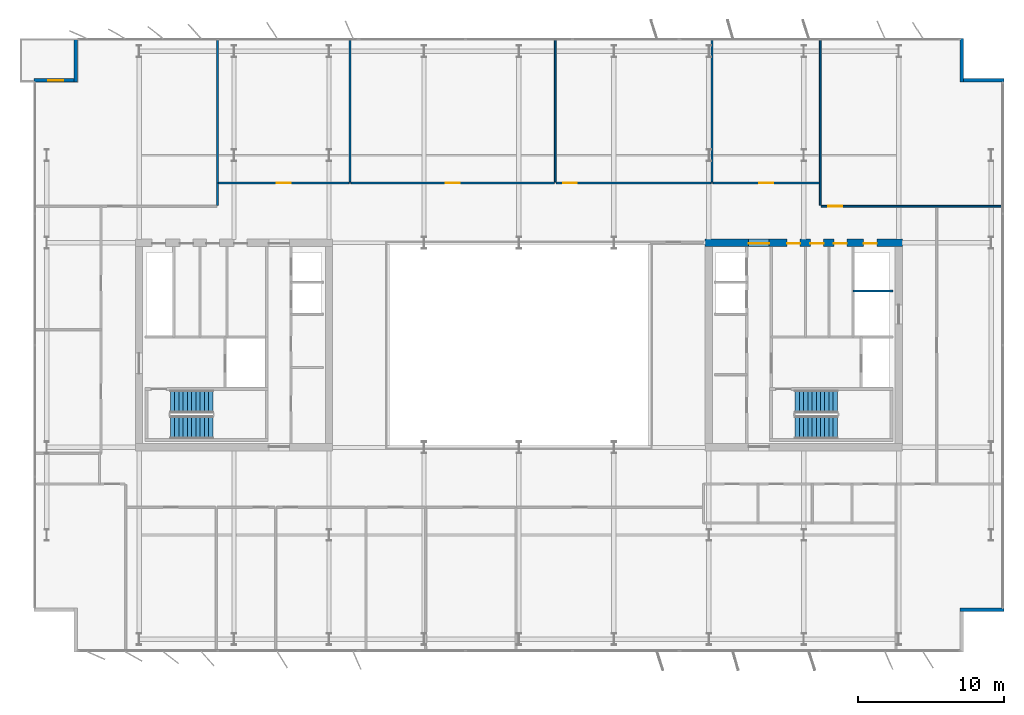
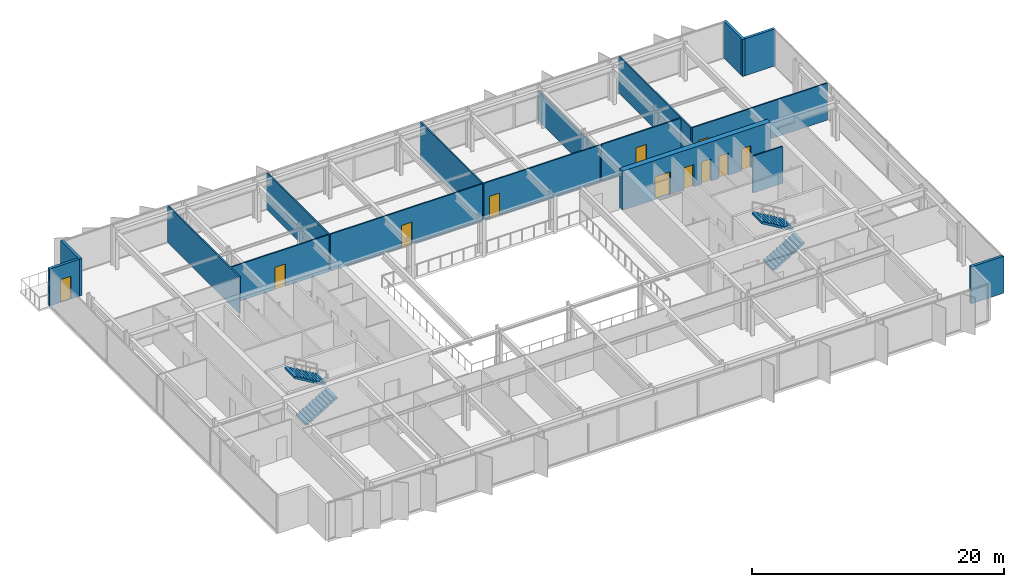
# One storey, part 19 of 23: 17 walls, 11 doors, 4 stair flights, 11 openings, 2 elements without a shape of their own.
"""IFC4 building model written with IfcOpenShell, lengths in metres."""

from ifc_helpers import new_model, si_unit, direction, frame, frame_2d, origin, place, context, subcontext, project, spatial, polyline, rectangle, outline, extrude, material, layer, layer_set, type_object, element, fill, aggregate, save


model = new_model("IFC4")

# Units and contexts
model_context = context("Model", 3, precision=1e-05, world=origin(), true_north=direction((0.0, 1.0)))
body_context = subcontext(model_context, "Body", "Model", "MODEL_VIEW")
ifc_project = project(units=[si_unit("LENGTHUNIT", "METRE"), si_unit("AREAUNIT", "SQUARE_METRE"), si_unit("VOLUMEUNIT", "CUBIC_METRE"), si_unit("PLANEANGLEUNIT", "RADIAN"), si_unit("MASSUNIT", "GRAM", prefix="KILO")], contexts=[model_context])

# Site, building, storey
site_placement = place(None, origin())
site = spatial("IfcSite", under=ifc_project, at=site_placement, CompositionType="ELEMENT")
building_placement = place(site_placement, origin())
building = spatial("IfcBuilding", under=site, at=building_placement, Name="Putna Gate Headquarters", CompositionType="ELEMENT")
storey_placement = place(building_placement, frame((0.0, 0.0, 217.60009765625)))
storey = spatial("IfcBuildingStorey", under=building, at=storey_placement, Name="L54", CompositionType="ELEMENT", Elevation=217.60009765625)

# Wall, openings, doors
ifc_material_1 = material(Name="Concrete C50/60", Category="concrete")
ifc_layer_1 = layer(ifc_material_1, 0.5)
ifc_layer_set_1 = layer_set([ifc_layer_1], Name="Concrete C50/60")
wall_type_1 = type_object("IfcWallType", Name="WALL-CORE-500", PredefinedType="SHEAR", material=ifc_layer_set_1)
wall_1_placement = place(storey_placement, frame((51.75, 33.0, 0.0), z_axis=(0.0, 0.0, 1.0), x_axis=(1.0, 0.0, 0.0)))
wall_1 = element("IfcWall", 1, at=wall_1_placement, inside=storey, type_object=wall_type_1, Name="L54 EC Split Core Shear Wall N", PredefinedType="SHEAR", context=body_context, shape_type="SweptSolid", body=[
    extrude(rectangle(XDim=13.5, YDim=0.5, at=frame_2d((6.75, 0.0))), origin(), (0.0, 0.0, 1.0), 3.7998046875),
])
opening_1_placement = place(wall_1_placement, frame((2.969970703125, 0.0, 0.0)))
opening_1 = element("IfcOpeningElement", 2, at=opening_1_placement, cuts=wall_1, Name="Opening FDD-140", PredefinedType="OPENING", context=body_context, shape_type="SweptSolid", body=[
    extrude(rectangle(XDim=1.39990234375, YDim=2.199951171875, at=frame_2d((0.699951171875, 1.10009765625))), frame((0.0, 0.260009765625, 0.0), z_axis=(0.0, -1.0, 0.0), x_axis=(1.0, 0.0, 0.0)), (0.0, 0.0, 1.0), 0.52001953125),
])
opening_2_placement = place(wall_1_placement, frame((10.85009765625, 0.0, 0.0)))
opening_2 = element("IfcOpeningElement", 3, at=opening_2_placement, cuts=wall_1, Name="Opening RD-90", PredefinedType="OPENING", context=body_context, shape_type="SweptSolid", body=[
    extrude(rectangle(XDim=0.89990234375, YDim=2.14990234375, at=frame_2d((0.449951171875, 1.074951171875))), frame((0.0, 0.260009765625, 0.0), z_axis=(0.0, -1.0, 0.0), x_axis=(1.0, 0.0, 0.0)), (0.0, 0.0, 1.0), 0.52001953125),
])
opening_3_placement = place(wall_1_placement, frame((5.60009765625, 0.0, 0.0)))
opening_3 = element("IfcOpeningElement", 4, at=opening_3_placement, cuts=wall_1, Name="Opening IDS-90", PredefinedType="OPENING", context=body_context, shape_type="SweptSolid", body=[
    extrude(rectangle(XDim=0.89990234375, YDim=2.14990234375, at=frame_2d((0.449951171875, 1.074951171875))), frame((0.0, 0.260009765625, 0.0), z_axis=(0.0, -1.0, 0.0), x_axis=(1.0, 0.0, 0.0)), (0.0, 0.0, 1.0), 0.52001953125),
])
opening_4_placement = place(wall_1_placement, frame((7.199951171875, 0.0, 0.0)))
opening_4 = element("IfcOpeningElement", 5, at=opening_4_placement, cuts=wall_1, Name="Opening IDS-90", PredefinedType="OPENING", context=body_context, shape_type="SweptSolid", body=[
    extrude(rectangle(XDim=0.89990234375, YDim=2.14990234375, at=frame_2d((0.449951171875, 1.074951171875))), frame((0.0, 0.260009765625, 0.0), z_axis=(0.0, -1.0, 0.0), x_axis=(1.0, 0.0, 0.0)), (0.0, 0.0, 1.0), 0.52001953125),
])
opening_5_placement = place(wall_1_placement, frame((8.800048828125, 0.0, 0.0)))
opening_5 = element("IfcOpeningElement", 6, at=opening_5_placement, cuts=wall_1, Name="Opening IDS-90", PredefinedType="OPENING", context=body_context, shape_type="SweptSolid", body=[
    extrude(rectangle(XDim=0.89990234375, YDim=2.14990234375, at=frame_2d((0.449951171875, 1.074951171875))), frame((0.0, 0.260009765625, 0.0), z_axis=(0.0, -1.0, 0.0), x_axis=(1.0, 0.0, 0.0)), (0.0, 0.0, 1.0), 0.52001953125),
])
ifc_material_2 = material(Name="Double steel fire door", Category="steel")
door_type_1 = type_object("IfcDoorType", Name="DOOR-FIRE-DBL-1400", OperationType="DOUBLE_DOOR_SINGLE_SWING", PredefinedType="DOOR", material=ifc_material_2)
door_1_placement = place(opening_1_placement, origin())
door_1 = element("IfcDoor", 7, at=door_1_placement, inside=storey, type_object=door_type_1, Name="L54 East Lift Lobby North Door", OperationType="DOUBLE_DOOR_SINGLE_SWING", OverallHeight=2.199951171875, OverallWidth=1.39990234375, PredefinedType="DOOR", context=body_context, shape_type="SweptSolid", body=[
    extrude(rectangle(XDim=1.39990234375, YDim=2.199951171875, at=frame_2d((0.699951171875, 1.10009765625))), frame((0.0, -0.02490234375, 0.0), z_axis=(0.0, -1.0, 0.0), x_axis=(1.0, 0.0, 0.0)), (0.0, 0.0, 1.0), 0.050048828125),
])
fill(opening_1, door_1)
ifc_material_3 = material(Name="Fire-rated utility door")
door_type_2 = type_object("IfcDoorType", Name="DOOR-INT-900", OperationType="NOTDEFINED", PredefinedType="DOOR", material=ifc_material_3)
door_2_placement = place(opening_3_placement, origin())
door_2 = element("IfcDoor", 8, at=door_2_placement, inside=storey, type_object=door_type_2, Name="L54 East Cleaner Store Door", OperationType="SINGLE_SWING_RIGHT", OverallHeight=2.14990234375, OverallWidth=0.89990234375, PredefinedType="DOOR", context=body_context, shape_type="SweptSolid", body=[
    extrude(rectangle(XDim=0.89990234375, YDim=2.14990234375, at=frame_2d((0.449951171875, 1.074951171875))), frame((0.0, -0.02490234375, 0.0), z_axis=(0.0, -1.0, 0.0), x_axis=(1.0, 0.0, 0.0)), (0.0, 0.0, 1.0), 0.050048828125),
])
fill(opening_3, door_2)
door_3_placement = place(opening_4_placement, origin())
door_3 = element("IfcDoor", 9, at=door_3_placement, inside=storey, type_object=door_type_2, Name="L54 BMS Outstation Door", OperationType="SINGLE_SWING_LEFT", OverallHeight=2.14990234375, OverallWidth=0.89990234375, PredefinedType="DOOR", context=body_context, shape_type="SweptSolid", body=[
    extrude(rectangle(XDim=0.89990234375, YDim=2.14990234375, at=frame_2d((0.449951171875, 1.074951171875))), frame((0.0, -0.02490234375, 0.0), z_axis=(0.0, -1.0, 0.0), x_axis=(1.0, 0.0, 0.0)), (0.0, 0.0, 1.0), 0.050048828125),
])
fill(opening_4, door_3)
door_4_placement = place(opening_5_placement, origin())
door_4 = element("IfcDoor", 10, at=door_4_placement, inside=storey, type_object=door_type_2, Name="L54 Facilities Equipment Store Door", OperationType="SINGLE_SWING_RIGHT", OverallHeight=2.14990234375, OverallWidth=0.89990234375, PredefinedType="DOOR", context=body_context, shape_type="SweptSolid", body=[
    extrude(rectangle(XDim=0.89990234375, YDim=2.14990234375, at=frame_2d((0.449951171875, 1.074951171875))), frame((0.0, -0.02490234375, 0.0), z_axis=(0.0, -1.0, 0.0), x_axis=(1.0, 0.0, 0.0)), (0.0, 0.0, 1.0), 0.050048828125),
])
fill(opening_5, door_4)
ifc_material_4 = material(Name="Steel riser access fire door", Category="steel")
door_type_3 = type_object("IfcDoorType", Name="DOOR-RISER-900", OperationType="NOTDEFINED", PredefinedType="DOOR", material=ifc_material_4)
door_5_placement = place(opening_2_placement, origin())
door_5 = element("IfcDoor", 11, at=door_5_placement, inside=storey, type_object=door_type_3, Name="L54 East Riser Access Door", OperationType="SINGLE_SWING_LEFT", OverallHeight=2.14990234375, OverallWidth=0.89990234375, PredefinedType="DOOR", context=body_context, shape_type="SweptSolid", body=[
    extrude(rectangle(XDim=0.89990234375, YDim=2.14990234375, at=frame_2d((0.449951171875, 1.074951171875))), frame((0.0, -0.02490234375, 0.0), z_axis=(0.0, -1.0, 0.0), x_axis=(1.0, 0.0, 0.0)), (0.0, 0.0, 1.0), 0.050048828125),
])
fill(opening_2, door_5)

# Wall
ifc_material_5 = material(Name="Precast concrete C40/50", Category="concrete")
ifc_layer_2 = layer(ifc_material_5, 0.239990234375)
ifc_layer_set_2 = layer_set([ifc_layer_2], Name="Precast concrete C40/50")
wall_type_2 = type_object("IfcWallType", Name="WALL-EXT-TERR-240", PredefinedType="STANDARD", material=ifc_layer_set_2)
wall_2_placement = place(storey_placement, frame((8.679931640625, 44.0, 0.0), z_axis=(0.0, 0.0, 1.0), x_axis=(0.0, 1.0, 0.0)))
element("IfcWall", 12, at=wall_2_placement, inside=storey, type_object=wall_type_2, Name="L54 Corner Notch Return Wall NW-V", PredefinedType="STANDARD", context=body_context, shape_type="SweptSolid", body=[
    extrude(rectangle(XDim=3.0, YDim=0.239990234375, at=frame_2d((1.5, 0.0))), origin(), (0.0, 0.0, 1.0), 3.579833984375),
])

# Wall, opening, door
wall_3_placement = place(storey_placement, frame((5.800048828125, 44.1201171875, 0.0), z_axis=(0.0, 0.0, 1.0), x_axis=(1.0, 0.0, 0.0)))
wall_3 = element("IfcWall", 13, at=wall_3_placement, inside=storey, type_object=wall_type_2, Name="L54 Corner Notch Return Wall NW-H", PredefinedType="STANDARD", context=body_context, shape_type="SweptSolid", body=[
    extrude(rectangle(XDim=3.0, YDim=0.239990234375, at=frame_2d((1.5, 0.0))), origin(), (0.0, 0.0, 1.0), 3.579833984375),
])
opening_6_placement = place(wall_3_placement, frame((1.0, 0.0, 0.0)))
opening_6 = element("IfcOpeningElement", 14, at=opening_6_placement, cuts=wall_3, Name="Opening TRD-1", PredefinedType="OPENING", context=body_context, shape_type="SweptSolid", body=[
    extrude(rectangle(XDim=1.0, YDim=2.199951171875, at=frame_2d((0.5, 1.10009765625))), frame((0.0, 0.1298828125, 0.0), z_axis=(0.0, -1.0, 0.0), x_axis=(1.0, 0.0, 0.0)), (0.0, 0.0, 1.0), 0.260009765625),
])
ifc_material_6 = material(Name="Thermally broken bronze glazed terrace door")
door_type_4 = type_object("IfcDoorType", Name="DOOR-TERR-EXT-1000", OperationType="NOTDEFINED", PredefinedType="DOOR", material=ifc_material_6)
door_6_placement = place(opening_6_placement, origin())
door_6 = element("IfcDoor", 15, at=door_6_placement, inside=storey, type_object=door_type_4, Name="L54 Spiral Sky Terrace Door NW", OperationType="SINGLE_SWING_RIGHT", OverallHeight=2.199951171875, OverallWidth=1.0, PredefinedType="DOOR", context=body_context, shape_type="SweptSolid", body=[
    extrude(rectangle(XDim=1.0, YDim=2.199951171875, at=frame_2d((0.5, 1.10009765625))), frame((0.0, 0.02490234375, 0.0), z_axis=(0.0, -1.0, 0.0), x_axis=(1.0, 0.0, 0.0)), (0.0, 0.0, 1.0), 0.050048828125),
])
fill(opening_6, door_6)

# Walls
for number, where, z_axis, x_axis, name in (
    (16, (69.320068359375, 47.0, 0.0), (0.0, 0.0, 1.0), (0.0, -1.0, 0.0), "L54 Corner Notch Return Wall NE-V"),
    (17, (69.199951171875, 44.1201171875, 0.0), (0.0, 0.0, 1.0), (1.0, 0.0, 0.0), "L54 Corner Notch Return Wall NE-H"),
    (18, (72.199951171875, 7.8798828125, 0.0), (0.0, 0.0, 1.0), (-1.0, 0.0, 0.0), "L54 Corner Notch Return Wall SE-H"),
):
    element("IfcWall", number, at=place(storey_placement, frame(where, z_axis=z_axis, x_axis=x_axis)), inside=storey, type_object=wall_type_2, Name=name, PredefinedType="STANDARD", context=body_context, shape_type="SweptSolid", body=[
        extrude(rectangle(XDim=3.0, YDim=0.239990234375, at=frame_2d((1.5, 0.0))), origin(), (0.0, 0.0, 1.0), 3.579833984375),
    ])
ifc_material_7 = material(Name="Acoustic gypsum board on metal stud")
ifc_layer_3 = layer(ifc_material_7, 0.1201171875)
ifc_layer_set_3 = layer_set([ifc_layer_3], Name="Acoustic gypsum board on metal stud")
wall_type_3 = type_object("IfcWallType", Name="WALL-PART-120", PredefinedType="PARTITIONING", material=ifc_layer_set_3)
wall_4_placement = place(storey_placement, frame((18.369140625, 35.56005859375, 0.0), z_axis=(0.0, 0.0, 1.0), x_axis=(0.0, 1.0, 0.0)))
element("IfcWall", 19, at=wall_4_placement, inside=storey, type_object=wall_type_3, Name="L54 Interior Wall PART-L54-NB-DIV-01", PredefinedType="PARTITIONING", context=body_context, shape_type="SweptSolid", body=[
    extrude(rectangle(XDim=11.419921875, YDim=0.1201171875, at=frame_2d((5.7099609375, 0.0))), origin(), (0.0, 0.0, 1.0), 3.579833984375),
])
for number, where, z_axis, x_axis, name in (
    (20, (27.443115234375, 37.159912109375, 0.0), (0.0, 0.0, 1.0), (0.0, 1.0, 0.0), "L54 Interior Wall PART-L54-NB-DIV-02"),
    (21, (41.483154296875, 37.159912109375, 0.0), (0.0, 0.0, 1.0), (0.0, 1.0, 0.0), "L54 Interior Wall PART-L54-NB-DIV-03"),
):
    element("IfcWall", number, at=place(storey_placement, frame(where, z_axis=z_axis, x_axis=x_axis)), inside=storey, type_object=wall_type_3, Name=name, PredefinedType="PARTITIONING", context=body_context, shape_type="SweptSolid", body=[
        extrude(rectangle(XDim=9.820068359375, YDim=0.1201171875, at=frame_2d((4.91015625, 0.0))), origin(), (0.0, 0.0, 1.0), 3.579833984375),
    ])
wall_5_placement = place(storey_placement, frame((52.214599609375, 37.159912109375, 0.0), z_axis=(0.0, 0.0, 1.0), x_axis=(0.0, 1.0, 0.0)))
element("IfcWall", 22, at=wall_5_placement, inside=storey, type_object=wall_type_3, Name="L54 Interior Wall PART-L54-NB-DIV-04", PredefinedType="PARTITIONING", context=body_context, shape_type="SweptSolid", body=[
    extrude(rectangle(XDim=9.820068359375, YDim=0.1201171875, at=frame_2d((4.91015625, 0.0))), origin(), (0.0, 0.0, 1.0), 2.8798828125),
])
wall_6_placement = place(storey_placement, frame((59.630859375, 35.56005859375, 0.0), z_axis=(0.0, 0.0, 1.0), x_axis=(0.0, 1.0, 0.0)))
element("IfcWall", 23, at=wall_6_placement, inside=storey, type_object=wall_type_3, Name="L54 Interior Wall PART-L54-NB-DIV-05", PredefinedType="PARTITIONING", context=body_context, shape_type="SweptSolid", body=[
    extrude(rectangle(XDim=11.419921875, YDim=0.1201171875, at=frame_2d((5.7099609375, 0.0))), origin(), (0.0, 0.0, 1.0), 3.579833984375),
])
ifc_material_8 = material(Name="Fire-rated shaftwall gypsum board on metal stud")
ifc_layer_4 = layer(ifc_material_8, 0.1201171875)
ifc_layer_set_4 = layer_set([ifc_layer_4], Name="Fire-rated shaftwall gypsum board on metal stud")
wall_type_4 = type_object("IfcWallType", Name="WALL-PART-120-EI120", PredefinedType="PARTITIONING", material=ifc_layer_set_4)
wall_7_placement = place(storey_placement, frame((61.8701171875, 29.699951171875, 0.0), z_axis=(0.0, 0.0, 1.0), x_axis=(1.0, 0.0, 0.0)))
element("IfcWall", 24, at=wall_7_placement, inside=storey, type_object=wall_type_4, Name="L54 Interior Wall CWINT-L54-EC-LF15-N", PredefinedType="PARTITIONING", context=body_context, shape_type="SweptSolid", body=[
    extrude(rectangle(XDim=2.72998046875, YDim=0.1201171875, at=frame_2d((1.364990234375, 0.0))), origin(), (0.0, 0.0, 1.0), 3.579833984375),
])

# Wall, opening, door
ifc_material_9 = material(Name="Fire-rated gypsum board on metal stud")
ifc_layer_5 = layer(ifc_material_9, 0.1201171875)
ifc_layer_set_5 = layer_set([ifc_layer_5], Name="Fire-rated gypsum board on metal stud")
wall_type_5 = type_object("IfcWallType", Name="WALL-PART-120-RATED", PredefinedType="PARTITIONING", material=ifc_layer_set_5)
wall_8_placement = place(storey_placement, frame((18.42919921875, 37.10009765625, 0.0), z_axis=(0.0, 0.0, 1.0), x_axis=(1.0, 0.0, 0.0)))
wall_8 = element("IfcWall", 25, at=wall_8_placement, inside=storey, type_object=wall_type_5, Name="L54 Interior Wall PART-L54-NB-CW-02", PredefinedType="PARTITIONING", context=body_context, shape_type="SweptSolid", body=[
    extrude(rectangle(XDim=8.953857421875, YDim=0.1201171875, at=frame_2d((4.47705078125, 0.0))), origin(), (0.0, 0.0, 1.0), 3.579833984375),
])
opening_7_placement = place(wall_8_placement, frame((4.001953125, 0.0, 0.0)))
opening_7 = element("IfcOpeningElement", 26, at=opening_7_placement, cuts=wall_8, Name="Opening FD-95", PredefinedType="OPENING", context=body_context, shape_type="SweptSolid", body=[
    extrude(rectangle(XDim=0.949951171875, YDim=2.14990234375, at=frame_2d((0.47509765625, 1.074951171875))), frame((0.0, 0.070068359375, 0.0), z_axis=(0.0, -1.0, 0.0), x_axis=(1.0, 0.0, 0.0)), (0.0, 0.0, 1.0), 0.14013671875),
])
ifc_material_10 = material(Name="Acoustic timber fire door", Category="wood")
door_type_5 = type_object("IfcDoorType", Name="DOOR-FIRE-950", OperationType="NOTDEFINED", PredefinedType="DOOR", material=ifc_material_10)
door_7_placement = place(opening_7_placement, origin())
door_7 = element("IfcDoor", 27, at=door_7_placement, inside=storey, type_object=door_type_5, Name="L54 Cellular Office 1 Door", OperationType="SINGLE_SWING_LEFT", OverallHeight=2.14990234375, OverallWidth=0.949951171875, PredefinedType="DOOR", context=body_context, shape_type="SweptSolid", body=[
    extrude(rectangle(XDim=0.949951171875, YDim=2.14990234375, at=frame_2d((0.47509765625, 1.074951171875))), frame((0.0, 0.02490234375, 0.0), z_axis=(0.0, -1.0, 0.0), x_axis=(1.0, 0.0, 0.0)), (0.0, 0.0, 1.0), 0.050048828125),
])
fill(opening_7, door_7)

wall_9_placement = place(storey_placement, frame((27.5029296875, 37.10009765625, 0.0), z_axis=(0.0, 0.0, 1.0), x_axis=(1.0, 0.0, 0.0)))
wall_9 = element("IfcWall", 28, at=wall_9_placement, inside=storey, type_object=wall_type_5, Name="L54 Interior Wall PART-L54-NB-CW-03", PredefinedType="PARTITIONING", context=body_context, shape_type="SweptSolid", body=[
    extrude(rectangle(XDim=13.920166015625, YDim=0.1201171875, at=frame_2d((6.9599609375, 0.0))), origin(), (0.0, 0.0, 1.0), 3.579833984375),
])
opening_8_placement = place(wall_9_placement, frame((6.485107421875, 0.0, 0.0)))
opening_8 = element("IfcOpeningElement", 29, at=opening_8_placement, cuts=wall_9, Name="Opening FD-95", PredefinedType="OPENING", context=body_context, shape_type="SweptSolid", body=[
    extrude(rectangle(XDim=0.949951171875, YDim=2.14990234375, at=frame_2d((0.47509765625, 1.074951171875))), frame((0.0, 0.070068359375, 0.0), z_axis=(0.0, -1.0, 0.0), x_axis=(1.0, 0.0, 0.0)), (0.0, 0.0, 1.0), 0.14013671875),
])
door_8_placement = place(opening_8_placement, origin())
door_8 = element("IfcDoor", 30, at=door_8_placement, inside=storey, type_object=door_type_5, Name="L54 Cellular Office 2 Door", OperationType="SINGLE_SWING_RIGHT", OverallHeight=2.14990234375, OverallWidth=0.949951171875, PredefinedType="DOOR", context=body_context, shape_type="SweptSolid", body=[
    extrude(rectangle(XDim=0.949951171875, YDim=2.14990234375, at=frame_2d((0.47509765625, 1.074951171875))), frame((0.0, 0.02490234375, 0.0), z_axis=(0.0, -1.0, 0.0), x_axis=(1.0, 0.0, 0.0)), (0.0, 0.0, 1.0), 0.050048828125),
])
fill(opening_8, door_8)

wall_10_placement = place(storey_placement, frame((41.543212890625, 37.10009765625, 0.0), z_axis=(0.0, 0.0, 1.0), x_axis=(1.0, 0.0, 0.0)))
wall_10 = element("IfcWall", 31, at=wall_10_placement, inside=storey, type_object=wall_type_5, Name="L54 Interior Wall PART-L54-NB-CW-04", PredefinedType="PARTITIONING", context=body_context, shape_type="SweptSolid", body=[
    extrude(rectangle(XDim=10.611328125, YDim=0.1201171875, at=frame_2d((5.3056640625, 0.0))), origin(), (0.0, 0.0, 1.0), 3.579833984375),
])
opening_9_placement = place(wall_10_placement, frame((0.47998046875, 0.0, 0.0)))
opening_9 = element("IfcOpeningElement", 32, at=opening_9_placement, cuts=wall_10, Name="Opening FD-95", PredefinedType="OPENING", context=body_context, shape_type="SweptSolid", body=[
    extrude(rectangle(XDim=0.949951171875, YDim=2.14990234375, at=frame_2d((0.47509765625, 1.074951171875))), frame((0.0, 0.070068359375, 0.0), z_axis=(0.0, -1.0, 0.0), x_axis=(1.0, 0.0, 0.0)), (0.0, 0.0, 1.0), 0.14013671875),
])
door_9_placement = place(opening_9_placement, origin())
door_9 = element("IfcDoor", 33, at=door_9_placement, inside=storey, type_object=door_type_5, Name="L54 Cellular Office 3 Door", OperationType="SINGLE_SWING_LEFT", OverallHeight=2.14990234375, OverallWidth=0.949951171875, PredefinedType="DOOR", context=body_context, shape_type="SweptSolid", body=[
    extrude(rectangle(XDim=0.949951171875, YDim=2.14990234375, at=frame_2d((0.47509765625, 1.074951171875))), frame((0.0, 0.02490234375, 0.0), z_axis=(0.0, -1.0, 0.0), x_axis=(1.0, 0.0, 0.0)), (0.0, 0.0, 1.0), 0.050048828125),
])
fill(opening_9, door_9)

wall_11_placement = place(storey_placement, frame((52.274658203125, 37.10009765625, 0.0), z_axis=(0.0, 0.0, 1.0), x_axis=(1.0, 0.0, 0.0)))
wall_11 = element("IfcWall", 34, at=wall_11_placement, inside=storey, type_object=wall_type_5, Name="L54 Interior Wall PART-L54-NB-CW-05", PredefinedType="PARTITIONING", context=body_context, shape_type="SweptSolid", body=[
    extrude(rectangle(XDim=7.296142578125, YDim=0.1201171875, at=frame_2d((3.64794921875, 0.0))), origin(), (0.0, 0.0, 1.0), 3.579833984375),
])
opening_10_placement = place(wall_11_placement, frame((3.173095703125, 0.0, 0.0)))
opening_10 = element("IfcOpeningElement", 35, at=opening_10_placement, cuts=wall_11, Name="Opening FD-95", PredefinedType="OPENING", context=body_context, shape_type="SweptSolid", body=[
    extrude(rectangle(XDim=0.949951171875, YDim=2.14990234375, at=frame_2d((0.47509765625, 1.074951171875))), frame((0.0, 0.070068359375, 0.0), z_axis=(0.0, -1.0, 0.0), x_axis=(1.0, 0.0, 0.0)), (0.0, 0.0, 1.0), 0.14013671875),
])
door_10_placement = place(opening_10_placement, origin())
door_10 = element("IfcDoor", 36, at=door_10_placement, inside=storey, type_object=door_type_5, Name="L54 Cellular Office 4 Door", OperationType="SINGLE_SWING_RIGHT", OverallHeight=2.14990234375, OverallWidth=0.949951171875, PredefinedType="DOOR", context=body_context, shape_type="SweptSolid", body=[
    extrude(rectangle(XDim=0.949951171875, YDim=2.14990234375, at=frame_2d((0.47509765625, 1.074951171875))), frame((0.0, 0.02490234375, 0.0), z_axis=(0.0, -1.0, 0.0), x_axis=(1.0, 0.0, 0.0)), (0.0, 0.0, 1.0), 0.050048828125),
])
fill(opening_10, door_10)

wall_12_placement = place(storey_placement, frame((59.69091796875, 35.5, 0.0), z_axis=(0.0, 0.0, 1.0), x_axis=(1.0, 0.0, 0.0)))
wall_12 = element("IfcWall", 37, at=wall_12_placement, inside=storey, type_object=wall_type_5, Name="L54 Interior Wall PART-L54-NB-CW-06", PredefinedType="PARTITIONING", context=body_context, shape_type="SweptSolid", body=[
    extrude(rectangle(XDim=12.3291015625, YDim=0.1201171875, at=frame_2d((6.16455078125, 0.0))), origin(), (0.0, 0.0, 1.0), 3.579833984375),
])
opening_11_placement = place(wall_12_placement, frame((0.47998046875, 0.0, 0.0)))
opening_11 = element("IfcOpeningElement", 38, at=opening_11_placement, cuts=wall_12, Name="Opening FD-95", PredefinedType="OPENING", context=body_context, shape_type="SweptSolid", body=[
    extrude(rectangle(XDim=0.949951171875, YDim=2.14990234375, at=frame_2d((0.47509765625, 1.074951171875))), frame((0.0, 0.070068359375, 0.0), z_axis=(0.0, -1.0, 0.0), x_axis=(1.0, 0.0, 0.0)), (0.0, 0.0, 1.0), 0.14013671875),
])
door_11_placement = place(opening_11_placement, origin())
door_11 = element("IfcDoor", 39, at=door_11_placement, inside=storey, type_object=door_type_5, Name="L54 Quiet Wellness Focus Studio 1 Door", OperationType="SINGLE_SWING_LEFT", OverallHeight=2.14990234375, OverallWidth=0.949951171875, PredefinedType="DOOR", context=body_context, shape_type="SweptSolid", body=[
    extrude(rectangle(XDim=0.949951171875, YDim=2.14990234375, at=frame_2d((0.47509765625, 1.074951171875))), frame((0.0, 0.02490234375, 0.0), z_axis=(0.0, -1.0, 0.0), x_axis=(1.0, 0.0, 0.0)), (0.0, 0.0, 1.0), 0.050048828125),
])
fill(opening_11, door_11)

# Stair, stair flights
ifc_material_11 = material(Name="Concrete C40/50", Category="concrete")
stair_type_1 = type_object("IfcStairType", Name="STAIR-ST1", PredefinedType="HALF_TURN_STAIR", material=ifc_material_11)
stair_1_placement = place(storey_placement, origin())
stair_1 = element("IfcStair", 40, at=stair_1_placement, inside=storey, type_object=stair_type_1, Name="L54 West Core Exit Stair ST1", PredefinedType="HALF_TURN_STAIR")
stair_flight_type_1 = type_object("IfcStairFlightType", Name="FLIGHT-ST1", PredefinedType="STRAIGHT", material=ifc_material_11)
stair_flight_1_placement = place(storey_placement, frame((15.14990234375, 20.375, 0.0), z_axis=(0.0, 0.0, 1.0), x_axis=(1.0, 0.0, 0.0)))
stair_flight_1 = element("IfcStairFlight", 41, at=stair_flight_1_placement, type_object=stair_flight_type_1, Name="ST1 flight 1", NumberOfRisers=11, NumberOfTreads=10, PredefinedType="STRAIGHT", RiserHeight=0.172727273, TreadLength=0.29, context=body_context, shape_type="SweptSolid", body=[
    extrude(outline(polyline([(0.0, 0.0), (0.0, 0.172607421875), (0.2900390625, 0.172607421875), (0.2900390625, 0.345458984375), (0.580078125, 0.345458984375), (0.580078125, 0.51806640625), (0.8701171875, 0.51806640625), (0.8701171875, 0.69091796875), (1.159912109375, 0.69091796875), (1.159912109375, 0.863525390625), (1.449951171875, 0.863525390625), (1.449951171875, 1.036376953125), (1.739990234375, 1.036376953125), (1.739990234375, 1.208984375), (2.030029296875, 1.208984375), (2.030029296875, 1.3818359375), (2.320068359375, 1.3818359375), (2.320068359375, 1.554443359375), (2.610107421875, 1.554443359375), (2.610107421875, 1.727294921875), (2.89990234375, 1.727294921875), (2.89990234375, 1.89990234375), (2.89990234375, 1.552734375), (0.29296875, 0.0), (0.0, 0.0)])), frame((0.0, 0.77490234375, 0.0), z_axis=(0.0, -1.0, 0.0), x_axis=(1.0, 0.0, 0.0)), (0.0, 0.0, 1.0), 1.550048828125),
])
stair_flight_2_placement = place(storey_placement, frame((18.050048828125, 22.125, 1.89990234375), z_axis=(0.0, 0.0, 1.0), x_axis=(-1.0, 0.0, 0.0)))
stair_flight_2 = element("IfcStairFlight", 42, at=stair_flight_2_placement, type_object=stair_flight_type_1, Name="ST1 flight 2", NumberOfRisers=11, NumberOfTreads=10, PredefinedType="STRAIGHT", RiserHeight=0.172727273, TreadLength=0.29, context=body_context, shape_type="SweptSolid", body=[
    extrude(outline(polyline([(0.0, 0.0), (0.0, 0.172607421875), (0.2900390625, 0.172607421875), (0.2900390625, 0.345458984375), (0.580078125, 0.345458984375), (0.580078125, 0.51806640625), (0.8701171875, 0.51806640625), (0.8701171875, 0.69091796875), (1.159912109375, 0.69091796875), (1.159912109375, 0.863525390625), (1.449951171875, 0.863525390625), (1.449951171875, 1.036376953125), (1.739990234375, 1.036376953125), (1.739990234375, 1.208984375), (2.030029296875, 1.208984375), (2.030029296875, 1.3818359375), (2.320068359375, 1.3818359375), (2.320068359375, 1.554443359375), (2.610107421875, 1.554443359375), (2.610107421875, 1.727294921875), (2.89990234375, 1.727294921875), (2.89990234375, 1.89990234375), (2.89990234375, 1.552734375), (0.29296875, 0.0), (0.0, 0.0)])), frame((0.0, 0.77490234375, 0.0), z_axis=(0.0, -1.0, 0.0), x_axis=(1.0, 0.0, 0.0)), (0.0, 0.0, 1.0), 1.550048828125),
])
aggregate(stair_1, [stair_flight_1, stair_flight_2])

stair_type_2 = type_object("IfcStairType", Name="STAIR-ST2", PredefinedType="HALF_TURN_STAIR", material=ifc_material_11)
stair_2_placement = place(storey_placement, origin())
stair_2 = element("IfcStair", 43, at=stair_2_placement, inside=storey, type_object=stair_type_2, Name="L54 East Core Exit Stair ST2", PredefinedType="HALF_TURN_STAIR")
stair_flight_type_2 = type_object("IfcStairFlightType", Name="FLIGHT-ST2", PredefinedType="STRAIGHT", material=ifc_material_11)
stair_flight_3_placement = place(storey_placement, frame((57.89990234375, 20.375, 0.0), z_axis=(0.0, 0.0, 1.0), x_axis=(1.0, 0.0, 0.0)))
stair_flight_3 = element("IfcStairFlight", 44, at=stair_flight_3_placement, type_object=stair_flight_type_2, Name="ST2 flight 1", NumberOfRisers=11, NumberOfTreads=10, PredefinedType="STRAIGHT", RiserHeight=0.172727273, TreadLength=0.29, context=body_context, shape_type="SweptSolid", body=[
    extrude(outline(polyline([(0.0, 0.0), (0.0, 0.172607421875), (0.2900390625, 0.172607421875), (0.2900390625, 0.345458984375), (0.580078125, 0.345458984375), (0.580078125, 0.51806640625), (0.8701171875, 0.51806640625), (0.8701171875, 0.69091796875), (1.159912109375, 0.69091796875), (1.159912109375, 0.863525390625), (1.449951171875, 0.863525390625), (1.449951171875, 1.036376953125), (1.739990234375, 1.036376953125), (1.739990234375, 1.208984375), (2.030029296875, 1.208984375), (2.030029296875, 1.3818359375), (2.320068359375, 1.3818359375), (2.320068359375, 1.554443359375), (2.610107421875, 1.554443359375), (2.610107421875, 1.727294921875), (2.89990234375, 1.727294921875), (2.89990234375, 1.89990234375), (2.89990234375, 1.552734375), (0.29296875, 0.0), (0.0, 0.0)])), frame((0.0, 0.77490234375, 0.0), z_axis=(0.0, -1.0, 0.0), x_axis=(1.0, 0.0, 0.0)), (0.0, 0.0, 1.0), 1.550048828125),
])
stair_flight_4_placement = place(storey_placement, frame((60.800048828125, 22.125, 1.89990234375), z_axis=(0.0, 0.0, 1.0), x_axis=(-1.0, 0.0, 0.0)))
stair_flight_4 = element("IfcStairFlight", 45, at=stair_flight_4_placement, type_object=stair_flight_type_2, Name="ST2 flight 2", NumberOfRisers=11, NumberOfTreads=10, PredefinedType="STRAIGHT", RiserHeight=0.172727273, TreadLength=0.29, context=body_context, shape_type="SweptSolid", body=[
    extrude(outline(polyline([(0.0, 0.0), (0.0, 0.172607421875), (0.2900390625, 0.172607421875), (0.2900390625, 0.345458984375), (0.580078125, 0.345458984375), (0.580078125, 0.51806640625), (0.8701171875, 0.51806640625), (0.8701171875, 0.69091796875), (1.159912109375, 0.69091796875), (1.159912109375, 0.863525390625), (1.449951171875, 0.863525390625), (1.449951171875, 1.036376953125), (1.739990234375, 1.036376953125), (1.739990234375, 1.208984375), (2.030029296875, 1.208984375), (2.030029296875, 1.3818359375), (2.320068359375, 1.3818359375), (2.320068359375, 1.554443359375), (2.610107421875, 1.554443359375), (2.610107421875, 1.727294921875), (2.89990234375, 1.727294921875), (2.89990234375, 1.89990234375), (2.89990234375, 1.552734375), (0.29296875, 0.0), (0.0, 0.0)])), frame((0.0, 0.77490234375, 0.0), z_axis=(0.0, -1.0, 0.0), x_axis=(1.0, 0.0, 0.0)), (0.0, 0.0, 1.0), 1.550048828125),
])
aggregate(stair_2, [stair_flight_3, stair_flight_4])

save(model, "model.ifc")
